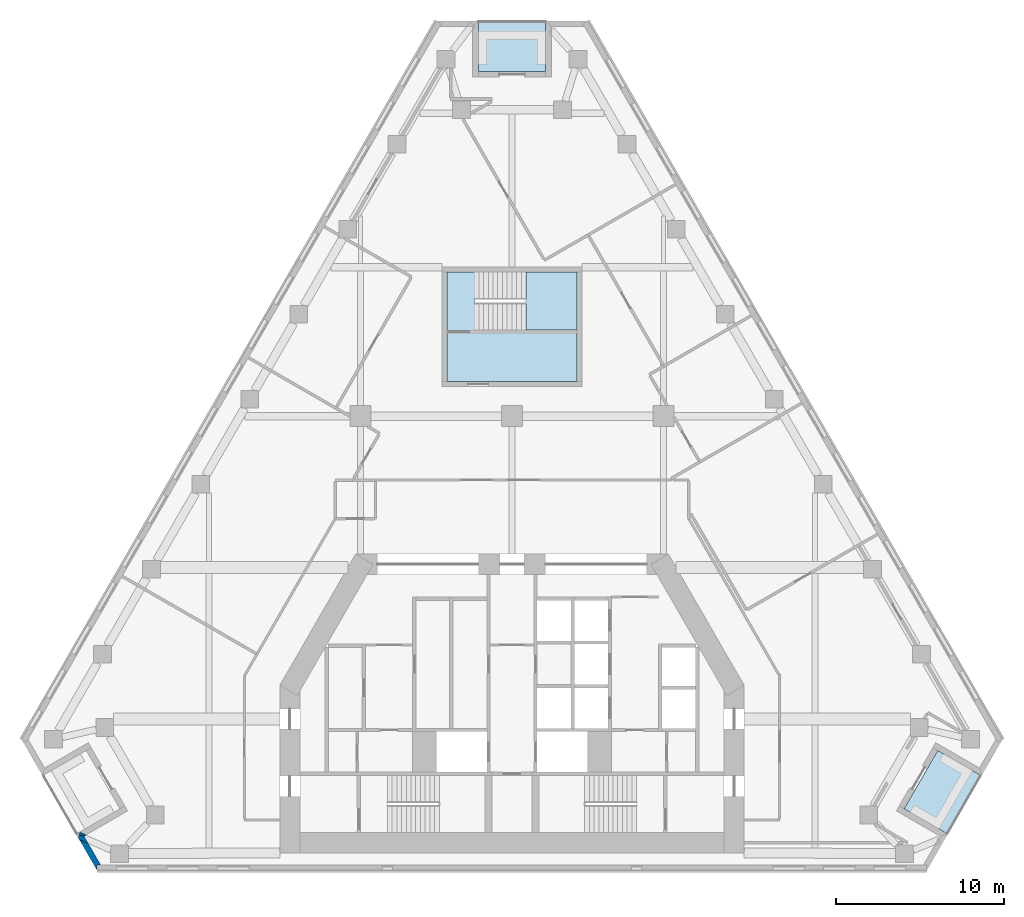
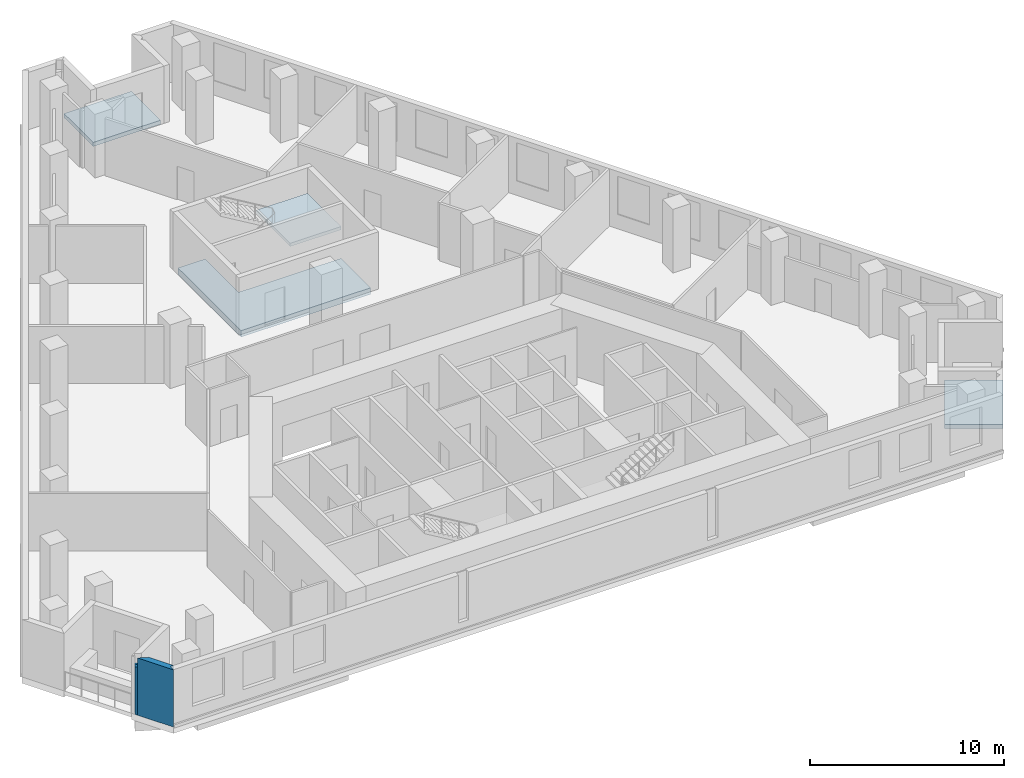
# One storey, part 2 of 9: 4 slabs, 3 walls, 1 element without a shape of its own.
"""IFC4 building model written with IfcOpenShell, lengths in metres."""

from ifc_helpers import new_model, si_unit, direction, frame, origin, place, context, subcontext, project, spatial, polyline, outline, extrude, material, layer, layer_set, type_object, element, aggregate, save


model = new_model("IFC4")

# Units and contexts
model_context = context("Model", 3, precision=1e-05, world=origin(), true_north=direction((0.0, 1.0)))
body_context = subcontext(model_context, "Body", "Model", "MODEL_VIEW")
ifc_project = project(units=[si_unit("LENGTHUNIT", "METRE"), si_unit("AREAUNIT", "SQUARE_METRE"), si_unit("VOLUMEUNIT", "CUBIC_METRE"), si_unit("PLANEANGLEUNIT", "RADIAN"), si_unit("MASSUNIT", "GRAM", prefix="KILO")], contexts=[model_context])

# Site, building, storey
site_placement = place(None, origin())
site = spatial("IfcSite", under=ifc_project, at=site_placement, CompositionType="ELEMENT")
building_placement = place(site_placement, origin())
building = spatial("IfcBuilding", under=site, at=building_placement, Name="Fogline Exchange Tower", CompositionType="ELEMENT")
storey_placement = place(building_placement, frame((0.0, 0.0, 142.89990234375)))
storey = spatial("IfcBuildingStorey", under=building, at=storey_placement, Name="L31", CompositionType="ELEMENT", Elevation=142.89990234375)

# Slabs
ifc_material_1 = material(Name="Concrete C40", Category="concrete")
ifc_layer_1 = layer(ifc_material_1, 0.25)
ifc_layer_set_1 = layer_set([ifc_layer_1], Name="DK1")
slab_type_1 = type_object("IfcSlabType", Name="DK1", PredefinedType="FLOOR", material=ifc_layer_set_1)
slab_1_placement = place(storey_placement, frame((0.0, 0.0, -0.25)))
element("IfcSlab", 1, at=slab_1_placement, inside=storey, type_object=slab_type_1, Name="Balcony L31 SE", PredefinedType="FLOOR", context=body_context, shape_type="SweptSolid", body=[
    extrude(outline(polyline([(25.8984375, 2.1650390625), (27.8984375, 5.629150390625), (25.30029296875, 7.129150390625), (23.30029296875, 3.6650390625), (25.8984375, 2.1650390625)])), origin(), (0.0, 0.0, 1.0), 0.25),
])
slab_2_placement = place(storey_placement, frame((0.0, 0.0, -0.25)))
element("IfcSlab", 2, at=slab_2_placement, inside=storey, type_object=slab_type_1, Name="Balcony L31 N", PredefinedType="FLOOR", context=body_context, shape_type="SweptSolid", body=[
    extrude(outline(polyline([(2.0, 50.48681640625), (-2.0, 50.48681640625), (-2.0, 47.48681640625), (2.0, 47.48681640625), (2.0, 50.48681640625)])), origin(), (0.0, 0.0, 1.0), 0.25),
])
ifc_layer_2 = layer(ifc_material_1, 0.39990234375)
ifc_layer_set_2 = layer_set([ifc_layer_2], Name="S03")
slab_type_2 = type_object("IfcSlabType", Name="S03", PredefinedType="FLOOR", material=ifc_layer_set_2)
slab_3_placement = place(storey_placement, frame((0.0, 0.0, -0.39990234375)))
element("IfcSlab", 3, at=slab_3_placement, inside=storey, type_object=slab_type_2, Name="Stair enclosure floor slab", PredefinedType="FLOOR", context=body_context, shape_type="SweptSolid", body=[
    extrude(outline(polyline([(3.85009765625, 29.056884765625), (-3.85009765625, 29.056884765625), (-3.85009765625, 35.556884765625), (-2.239990234375, 35.556884765625), (-2.239990234375, 32.10693359375), (3.85009765625, 32.10693359375), (3.85009765625, 29.056884765625)])), origin(), (0.0, 0.0, 1.0), 0.39990234375),
])

# Stair, slab
stair_type = type_object("IfcStairType", Name="STR24-1667", PredefinedType="HALF_TURN_STAIR", material=ifc_material_1)
stair_placement = place(storey_placement, origin())
stair = element("IfcStair", 4, at=stair_placement, inside=storey, type_object=stair_type, Name="Stair ST3", PredefinedType="HALF_TURN_STAIR")
ifc_layer_3 = layer(ifc_material_1, 0.199951171875)
ifc_layer_set_3 = layer_set([ifc_layer_3], Name="SL200")
slab_type_3 = type_object("IfcSlabType", Name="SL200", PredefinedType="LANDING", material=ifc_layer_set_3)
slab_4_placement = place(storey_placement, frame((0.0, 0.0, 1.800048828125)))
slab_4 = element("IfcSlab", 5, at=slab_4_placement, type_object=slab_type_3, Name="ST3 landing 1", PredefinedType="LANDING", context=body_context, shape_type="SweptSolid", body=[
    extrude(outline(polyline([(0.830078125, 32.10693359375), (3.85009765625, 32.10693359375), (3.85009765625, 35.556884765625), (0.830078125, 35.556884765625), (0.830078125, 32.10693359375)])), origin(), (0.0, 0.0, 1.0), 0.199951171875),
])
aggregate(stair, [slab_4])

# Walls
ifc_material_2 = material(Name="Brick masonry", Category="masonry")
ifc_layer_4 = layer(ifc_material_2, 0.340087890625)
ifc_layer_set_4 = layer_set([ifc_layer_4], Name="FW1")
wall_type = type_object("IfcWallType", Name="FW1", PredefinedType="SOLIDWALL", material=ifc_layer_set_4)
wall_1_placement = place(storey_placement, origin())
element("IfcWall", 6, at=wall_1_placement, inside=storey, type_object=wall_type, Name="Brick wall L31 SW-s2", PredefinedType="SOLIDWALL", context=body_context, shape_type="SweptSolid", body=[
    extrude(outline(polyline([(-25.433837890625, 2.0400390625), (-25.723388671875, 2.11767578125), (-25.659423828125, 2.260986328125), (-25.31640625, 2.10791015625), (-25.433837890625, 2.0400390625)])), origin(), (0.0, 0.0, 1.0), 3.0),
])
wall_2_placement = place(storey_placement, origin())
element("IfcWall", 7, at=wall_2_placement, inside=storey, type_object=wall_type, Name="Brick wall L31 SW-c2", PredefinedType="SOLIDWALL", context=body_context, shape_type="SweptSolid", body=[
    extrude(outline(polyline([(-25.7880859375, 1.972900390625), (-25.722900390625, 2.11865234375), (-25.43359375, 2.041015625), (-25.185546875, 1.611328125), (-25.71630859375, 1.848388671875), (-25.7880859375, 1.972900390625)])), origin(), (0.0, 0.0, 1.0), 3.0),
])
wall_3_placement = place(storey_placement, origin())
element("IfcWall", 8, at=wall_3_placement, inside=storey, type_object=wall_type, Name="Brick wall L31 SW-c2", PredefinedType="SOLIDWALL", context=body_context, shape_type="SweptSolid", body=[
    extrude(outline(polyline([(-24.64794921875, 0.33935546875), (-24.64794921875, -0.0009765625), (-24.6484375, -0.001220703125), (-25.71630859375, 1.848388671875), (-25.185546875, 1.611328125), (-24.451171875, 0.33935546875), (-24.64794921875, 0.33935546875)])), origin(), (0.0, 0.0, 1.0), 3.60009765625),
])

save(model, "model.ifc")
